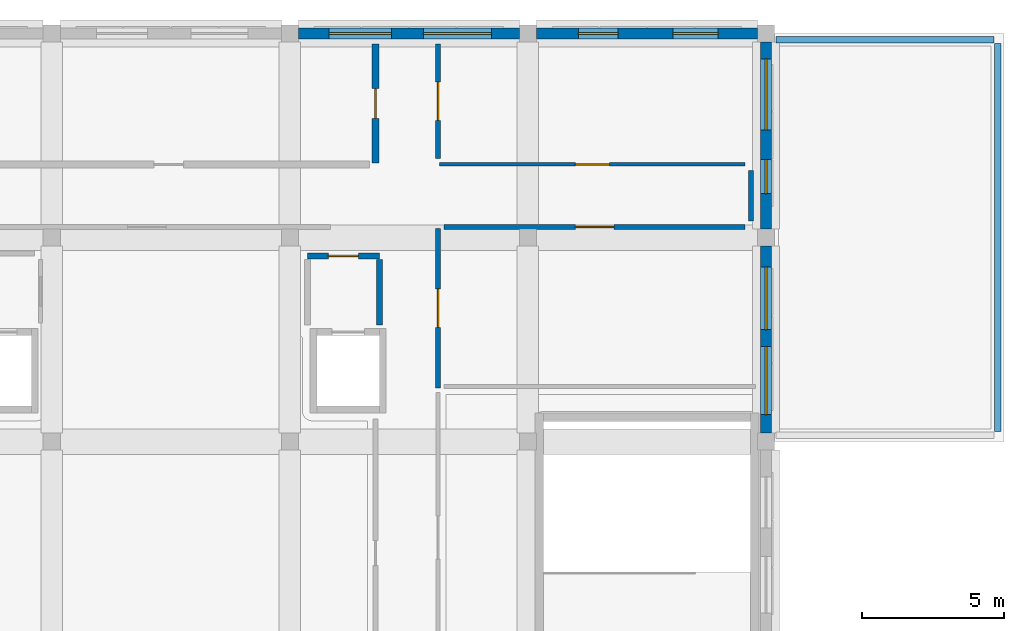
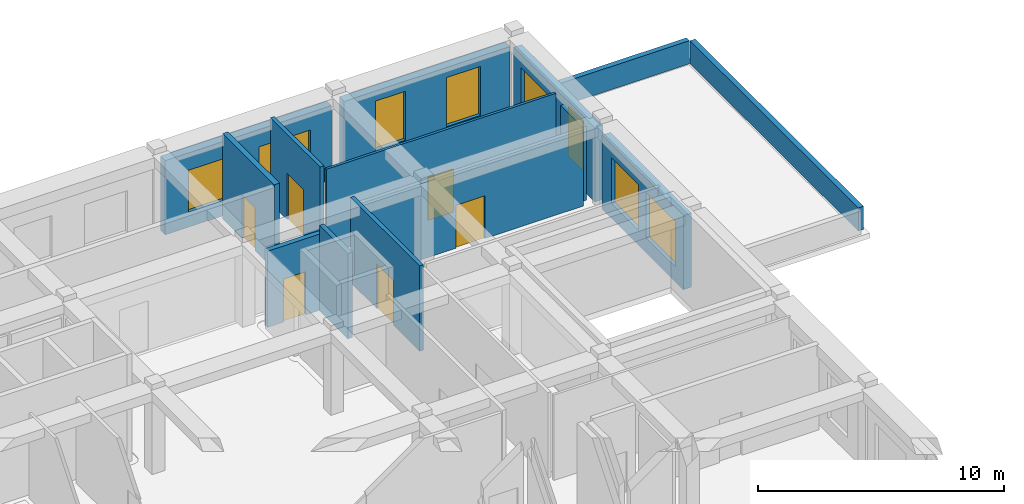
# One storey, part 16 of 28: 14 walls, 8 windows, 6 doors, 14 openings.
"""IFC4 building model written with IfcOpenShell, lengths in metres."""

from ifc_helpers import new_model, si_unit, derived_unit, direction, frame, frame_2d, origin, place, context, subcontext, project, spatial, rectangle, extrude, material, layer, layer_set, type_object, element, fill, save


model = new_model("IFC4")

# Units and contexts
model_context = context("Model", 3, precision=1e-05, world=origin(), true_north=direction((0.0, 1.0)))
body_context = subcontext(model_context, "Body", "Model", "MODEL_VIEW")
ifc_project = project(units=[si_unit("LENGTHUNIT", "METRE"), si_unit("AREAUNIT", "SQUARE_METRE"), si_unit("VOLUMEUNIT", "CUBIC_METRE"), si_unit("PLANEANGLEUNIT", "RADIAN"), si_unit("MASSUNIT", "GRAM", prefix="KILO"), derived_unit("THERMALTRANSMITTANCEUNIT", [(si_unit("POWERUNIT", "WATT"), 1), (si_unit("LENGTHUNIT", "METRE"), -2), (si_unit("THERMODYNAMICTEMPERATUREUNIT", "KELVIN"), -1)])], contexts=[model_context])

# Site, building, storey
site_placement = place(None, origin())
site = spatial("IfcSite", under=ifc_project, at=site_placement, CompositionType="ELEMENT")
building_placement = place(site_placement, origin())
building = spatial("IfcBuilding", under=site, at=building_placement, Name="Veybourne Emporium", CompositionType="ELEMENT")
storey_placement = place(building_placement, frame((0.0, 0.0, 32.10009765625)))
storey = spatial("IfcBuildingStorey", under=building, at=storey_placement, Name="L07", CompositionType="ELEMENT", Elevation=32.10009765625)

# Wall, openings, windows
ifc_material_1 = material(Name="Portland Limestone Ashlar", Category="masonry")
ifc_layer_1 = layer(ifc_material_1, 0.3798828125)
ifc_layer_set_1 = layer_set([ifc_layer_1], Name="Portland Limestone Ashlar")
wall_type_1 = type_object("IfcWallType", Name="ExtWall_EW-03", PredefinedType="SOLIDWALL", material=ifc_layer_set_1)
wall_1_placement = place(storey_placement, frame((33.89990234375, 50.39990234375, 0.0), z_axis=(0.0, 0.0, 1.0), x_axis=(1.0, 0.0, 0.0)))
wall_1 = element("IfcWall", 1, at=wall_1_placement, inside=storey, type_object=wall_type_1, Name="L07 Portland stone external wall 015", PredefinedType="SOLIDWALL", context=body_context, shape_type="SweptSolid", body=[
    extrude(rectangle(XDim=7.800048828125, YDim=0.3798828125, at=frame_2d((3.89990234375, 0.0))), origin(), (0.0, 0.0, 1.0), 3.68994140625),
])
opening_1_placement = place(wall_1_placement, frame((1.083984375, 0.0, 0.75)))
opening_1 = element("IfcOpeningElement", 2, at=opening_1_placement, cuts=wall_1, Name="Opening W-14", PredefinedType="OPENING", context=body_context, shape_type="SweptSolid", body=[
    extrude(rectangle(XDim=2.199951171875, YDim=2.080078125, at=frame_2d((1.10009765625, 1.0400390625))), frame((0.0, 0.2099609375, 0.0), z_axis=(0.0, -1.0, 0.0), x_axis=(1.0, 0.0, 0.0)), (0.0, 0.0, 1.0), 0.419921875),
])
opening_2_placement = place(wall_1_placement, frame((4.416015625, 0.0, 0.75)))
opening_2 = element("IfcOpeningElement", 3, at=opening_2_placement, cuts=wall_1, Name="Opening W-15", PredefinedType="OPENING", context=body_context, shape_type="SweptSolid", body=[
    extrude(rectangle(XDim=2.39990234375, YDim=2.080078125, at=frame_2d((1.199951171875, 1.0400390625))), frame((0.0, 0.2099609375, 0.0), z_axis=(0.0, -1.0, 0.0), x_axis=(1.0, 0.0, 0.0)), (0.0, 0.0, 1.0), 0.419921875),
])
ifc_material_2 = material(Name="Low-E Triple Glazing", Category="glass")
window_type_1 = type_object("IfcWindowType", Name="Win_W-14", PartitioningType="TRIPLE_PANEL_VERTICAL", PredefinedType="WINDOW", material=ifc_material_2)
window_1_placement = place(opening_1_placement, origin())
window_1 = element("IfcWindow", 4, at=window_1_placement, inside=storey, type_object=window_type_1, Name="L07 tripartite bronze casement window W-14 (15.1)", OverallHeight=2.080078125, OverallWidth=2.199951171875, PartitioningType="TRIPLE_PANEL_VERTICAL", PredefinedType="WINDOW", context=body_context, shape_type="SweptSolid", body=[
    extrude(rectangle(XDim=2.199951171875, YDim=2.080078125, at=frame_2d((1.10009765625, 1.0400390625))), frame((0.0, 0.030029296875, 0.0), z_axis=(0.0, -1.0, 0.0), x_axis=(1.0, 0.0, 0.0)), (0.0, 0.0, 1.0), 0.06005859375),
])
fill(opening_1, window_1)
window_type_2 = type_object("IfcWindowType", Name="Win_W-15", PartitioningType="TRIPLE_PANEL_VERTICAL", PredefinedType="WINDOW", material=ifc_material_2)
window_2_placement = place(opening_2_placement, origin())
window_2 = element("IfcWindow", 5, at=window_2_placement, inside=storey, type_object=window_type_2, Name="L07 tripartite bronze casement window W-15 (15.2)", OverallHeight=2.080078125, OverallWidth=2.39990234375, PartitioningType="TRIPLE_PANEL_VERTICAL", PredefinedType="WINDOW", context=body_context, shape_type="SweptSolid", body=[
    extrude(rectangle(XDim=2.39990234375, YDim=2.080078125, at=frame_2d((1.199951171875, 1.0400390625))), frame((0.0, 0.030029296875, 0.0), z_axis=(0.0, -1.0, 0.0), x_axis=(1.0, 0.0, 0.0)), (0.0, 0.0, 1.0), 0.06005859375),
])
fill(opening_2, window_2)

wall_2_placement = place(storey_placement, frame((50.39990234375, 42.89990234375, 0.0), z_axis=(0.0, 0.0, 1.0), x_axis=(0.0, -1.0, 0.0)))
wall_2 = element("IfcWall", 6, at=wall_2_placement, inside=storey, type_object=wall_type_1, Name="L07 Portland stone external wall 020", PredefinedType="SOLIDWALL", context=body_context, shape_type="SweptSolid", body=[
    extrude(rectangle(XDim=6.599853515625, YDim=0.3798828125, at=frame_2d((3.2998046875, 0.0))), origin(), (0.0, 0.0, 1.0), 3.68994140625),
])
opening_3_placement = place(wall_2_placement, frame((0.748046875, 0.0, 0.75)))
opening_3 = element("IfcOpeningElement", 7, at=opening_3_placement, cuts=wall_2, Name="Opening W-22", PredefinedType="OPENING", context=body_context, shape_type="SweptSolid", body=[
    extrude(rectangle(XDim=2.199951171875, YDim=2.260009765625, at=frame_2d((1.10009765625, 1.1298828125))), frame((0.0, 0.2099609375, 0.0), z_axis=(0.0, -1.0, 0.0), x_axis=(1.0, 0.0, 0.0)), (0.0, 0.0, 1.0), 0.419921875),
])
opening_4_placement = place(wall_2_placement, frame((3.552001953125, 0.0, 0.75)))
opening_4 = element("IfcOpeningElement", 8, at=opening_4_placement, cuts=wall_2, Name="Opening W-23", PredefinedType="OPENING", context=body_context, shape_type="SweptSolid", body=[
    extrude(rectangle(XDim=2.39990234375, YDim=2.260009765625, at=frame_2d((1.199951171875, 1.1298828125))), frame((0.0, 0.2099609375, 0.0), z_axis=(0.0, -1.0, 0.0), x_axis=(1.0, 0.0, 0.0)), (0.0, 0.0, 1.0), 0.419921875),
])
window_type_3 = type_object("IfcWindowType", Name="Win_W-22", PartitioningType="TRIPLE_PANEL_VERTICAL", PredefinedType="WINDOW", material=ifc_material_2)
window_3_placement = place(opening_3_placement, origin())
window_3 = element("IfcWindow", 9, at=window_3_placement, inside=storey, type_object=window_type_3, Name="L07 tripartite bronze casement window W-22 (20.1)", OverallHeight=2.260009765625, OverallWidth=2.199951171875, PartitioningType="TRIPLE_PANEL_VERTICAL", PredefinedType="WINDOW", context=body_context, shape_type="SweptSolid", body=[
    extrude(rectangle(XDim=2.199951171875, YDim=2.260009765625, at=frame_2d((1.10009765625, 1.1298828125))), frame((0.0, 0.030029296875, 0.0), z_axis=(0.0, -1.0, 0.0), x_axis=(1.0, 0.0, 0.0)), (0.0, 0.0, 1.0), 0.06005859375),
])
fill(opening_3, window_3)
window_type_4 = type_object("IfcWindowType", Name="Win_W-23", PartitioningType="TRIPLE_PANEL_VERTICAL", PredefinedType="WINDOW", material=ifc_material_2)
window_4_placement = place(opening_4_placement, origin())
window_4 = element("IfcWindow", 10, at=window_4_placement, inside=storey, type_object=window_type_4, Name="L07 tripartite bronze casement window W-23 (20.2)", OverallHeight=2.260009765625, OverallWidth=2.39990234375, PartitioningType="TRIPLE_PANEL_VERTICAL", PredefinedType="WINDOW", context=body_context, shape_type="SweptSolid", body=[
    extrude(rectangle(XDim=2.39990234375, YDim=2.260009765625, at=frame_2d((1.199951171875, 1.1298828125))), frame((0.0, 0.030029296875, 0.0), z_axis=(0.0, -1.0, 0.0), x_axis=(1.0, 0.0, 0.0)), (0.0, 0.0, 1.0), 0.06005859375),
])
fill(opening_4, window_4)

wall_3_placement = place(storey_placement, frame((50.39990234375, 50.10009765625, 0.0), z_axis=(0.0, 0.0, 1.0), x_axis=(0.0, -1.0, 0.0)))
wall_3 = element("IfcWall", 11, at=wall_3_placement, inside=storey, type_object=wall_type_1, Name="L07 Portland stone external wall 021", PredefinedType="SOLIDWALL", context=body_context, shape_type="SweptSolid", body=[
    extrude(rectangle(XDim=6.60009765625, YDim=0.3798828125, at=frame_2d((3.300048828125, 0.0))), origin(), (0.0, 0.0, 1.0), 3.68994140625),
])
opening_5_placement = place(wall_3_placement, frame((0.593017578125, 0.0, 0.75)))
opening_5 = element("IfcOpeningElement", 12, at=opening_5_placement, cuts=wall_3, Name="Opening W-24", PredefinedType="OPENING", context=body_context, shape_type="SweptSolid", body=[
    extrude(rectangle(XDim=2.510009765625, YDim=2.260009765625, at=frame_2d((1.2548828125, 1.1298828125))), frame((0.0, 0.2099609375, 0.0), z_axis=(0.0, -1.0, 0.0), x_axis=(1.0, 0.0, 0.0)), (0.0, 0.0, 1.0), 0.419921875),
])
opening_6_placement = place(wall_3_placement, frame((4.152099609375, 0.0, 0.75)))
opening_6 = element("IfcOpeningElement", 13, at=opening_6_placement, cuts=wall_3, Name="Opening W-25", PredefinedType="OPENING", context=body_context, shape_type="SweptSolid", body=[
    extrude(rectangle(XDim=1.199951171875, YDim=2.43994140625, at=frame_2d((0.60009765625, 1.219970703125))), frame((0.0, 0.2099609375, 0.0), z_axis=(0.0, -1.0, 0.0), x_axis=(1.0, 0.0, 0.0)), (0.0, 0.0, 1.0), 0.419921875),
])
window_type_5 = type_object("IfcWindowType", Name="Win_W-24", PartitioningType="TRIPLE_PANEL_VERTICAL", PredefinedType="WINDOW", material=ifc_material_2)
window_5_placement = place(opening_5_placement, origin())
window_5 = element("IfcWindow", 14, at=window_5_placement, inside=storey, type_object=window_type_5, Name="L07 tripartite bronze casement window W-24 (21.1)", OverallHeight=2.260009765625, OverallWidth=2.510009765625, PartitioningType="TRIPLE_PANEL_VERTICAL", PredefinedType="WINDOW", context=body_context, shape_type="SweptSolid", body=[
    extrude(rectangle(XDim=2.510009765625, YDim=2.260009765625, at=frame_2d((1.2548828125, 1.1298828125))), frame((0.0, 0.030029296875, 0.0), z_axis=(0.0, -1.0, 0.0), x_axis=(1.0, 0.0, 0.0)), (0.0, 0.0, 1.0), 0.06005859375),
])
fill(opening_5, window_5)
window_type_6 = type_object("IfcWindowType", Name="Win_W-25", PartitioningType="SINGLE_PANEL", PredefinedType="WINDOW", material=ifc_material_2)
window_6_placement = place(opening_6_placement, origin())
window_6 = element("IfcWindow", 15, at=window_6_placement, inside=storey, type_object=window_type_6, Name="L07 tripartite bronze casement window W-25 (21.2)", OverallHeight=2.43994140625, OverallWidth=1.199951171875, PartitioningType="SINGLE_PANEL", PredefinedType="WINDOW", context=body_context, shape_type="SweptSolid", body=[
    extrude(rectangle(XDim=1.199951171875, YDim=2.43994140625, at=frame_2d((0.60009765625, 1.219970703125))), frame((0.0, 0.030029296875, 0.0), z_axis=(0.0, -1.0, 0.0), x_axis=(1.0, 0.0, 0.0)), (0.0, 0.0, 1.0), 0.06005859375),
])
fill(opening_6, window_6)

wall_4_placement = place(storey_placement, frame((42.300048828125, 50.39990234375, 0.0), z_axis=(0.0, 0.0, 1.0), x_axis=(1.0, 0.0, 0.0)))
wall_4 = element("IfcWall", 16, at=wall_4_placement, inside=storey, type_object=wall_type_1, Name="L07 Portland stone external wall 022", PredefinedType="SOLIDWALL", context=body_context, shape_type="SweptSolid", body=[
    extrude(rectangle(XDim=7.800048828125, YDim=0.3798828125, at=frame_2d((3.89990234375, 0.0))), origin(), (0.0, 0.0, 1.0), 3.68994140625),
])
opening_7_placement = place(wall_4_placement, frame((1.48388671875, 0.0, 0.75)))
opening_7 = element("IfcOpeningElement", 17, at=opening_7_placement, cuts=wall_4, Name="Opening W-26", PredefinedType="OPENING", context=body_context, shape_type="SweptSolid", body=[
    extrude(rectangle(XDim=1.39990234375, YDim=2.43994140625, at=frame_2d((0.699951171875, 1.219970703125))), frame((0.0, 0.2099609375, 0.0), z_axis=(0.0, -1.0, 0.0), x_axis=(1.0, 0.0, 0.0)), (0.0, 0.0, 1.0), 0.419921875),
])
opening_8_placement = place(wall_4_placement, frame((4.81591796875, 0.0, 0.75)))
opening_8 = element("IfcOpeningElement", 18, at=opening_8_placement, cuts=wall_4, Name="Opening W-27", PredefinedType="OPENING", context=body_context, shape_type="SweptSolid", body=[
    extrude(rectangle(XDim=1.60009765625, YDim=2.43994140625, at=frame_2d((0.800048828125, 1.219970703125))), frame((0.0, 0.2099609375, 0.0), z_axis=(0.0, -1.0, 0.0), x_axis=(1.0, 0.0, 0.0)), (0.0, 0.0, 1.0), 0.419921875),
])
window_type_7 = type_object("IfcWindowType", Name="Win_W-26", PartitioningType="DOUBLE_PANEL_VERTICAL", PredefinedType="WINDOW", material=ifc_material_2)
window_7_placement = place(opening_7_placement, origin())
window_7 = element("IfcWindow", 19, at=window_7_placement, inside=storey, type_object=window_type_7, Name="L07 tripartite bronze casement window W-26 (22.1)", OverallHeight=2.43994140625, OverallWidth=1.39990234375, PartitioningType="DOUBLE_PANEL_VERTICAL", PredefinedType="WINDOW", context=body_context, shape_type="SweptSolid", body=[
    extrude(rectangle(XDim=1.39990234375, YDim=2.43994140625, at=frame_2d((0.699951171875, 1.219970703125))), frame((0.0, 0.030029296875, 0.0), z_axis=(0.0, -1.0, 0.0), x_axis=(1.0, 0.0, 0.0)), (0.0, 0.0, 1.0), 0.06005859375),
])
fill(opening_7, window_7)
window_type_8 = type_object("IfcWindowType", Name="Win_W-27", PartitioningType="DOUBLE_PANEL_VERTICAL", PredefinedType="WINDOW", material=ifc_material_2)
window_8_placement = place(opening_8_placement, origin())
window_8 = element("IfcWindow", 20, at=window_8_placement, inside=storey, type_object=window_type_8, Name="L07 tripartite bronze casement window W-27 (22.2)", OverallHeight=2.43994140625, OverallWidth=1.60009765625, PartitioningType="DOUBLE_PANEL_VERTICAL", PredefinedType="WINDOW", context=body_context, shape_type="SweptSolid", body=[
    extrude(rectangle(XDim=1.60009765625, YDim=2.43994140625, at=frame_2d((0.800048828125, 1.219970703125))), frame((0.0, 0.030029296875, 0.0), z_axis=(0.0, -1.0, 0.0), x_axis=(1.0, 0.0, 0.0)), (0.0, 0.0, 1.0), 0.06005859375),
])
fill(opening_8, window_8)

# Walls
ifc_material_3 = material(Name="Precast concrete C40/50", Category="concrete")
ifc_layer_2 = layer(ifc_material_3, 0.239990234375)
ifc_layer_set_2 = layer_set([ifc_layer_2], Name="Precast concrete C40/50")
wall_type_2 = type_object("IfcWallType", Name="ExtWall_PW-02", PredefinedType="PARAPET", material=ifc_layer_set_2)
wall_5_placement = place(storey_placement, frame((50.75, 50.179931640625, 0.0), z_axis=(0.0, 0.0, 1.0), x_axis=(1.0, 0.0, 0.0)))
element("IfcWall", 21, at=wall_5_placement, inside=storey, type_object=wall_type_2, Name="L07 roof parapet wall 003", PredefinedType="PARAPET", context=body_context, shape_type="SweptSolid", body=[
    extrude(rectangle(XDim=7.699951171875, YDim=0.239990234375, at=frame_2d((3.85009765625, 0.0))), origin(), (0.0, 0.0, 1.0), 1.14990234375),
])
wall_6_placement = place(storey_placement, frame((58.580078125, 50.050048828125, 0.0), z_axis=(0.0, 0.0, 1.0), x_axis=(0.0, -1.0, 0.0)))
element("IfcWall", 22, at=wall_6_placement, inside=storey, type_object=wall_type_2, Name="L07 roof parapet wall 004", PredefinedType="PARAPET", context=body_context, shape_type="SweptSolid", body=[
    extrude(rectangle(XDim=13.699951171875, YDim=0.239990234375, at=frame_2d((6.85009765625, 0.0))), origin(), (0.0, 0.0, 1.0), 1.14990234375),
])

# Wall, opening, door
ifc_material_4 = material(Name="Concrete C32/40", Category="concrete")
ifc_layer_3 = layer(ifc_material_4, 0.25)
ifc_layer_set_3 = layer_set([ifc_layer_3], Name="Concrete C32/40")
wall_type_3 = type_object("IfcWallType", Name="IntWall_FW-01", PredefinedType="SOLIDWALL", material=ifc_layer_set_3)
wall_7_placement = place(storey_placement, frame((36.6201171875, 45.830078125, 0.0), z_axis=(0.0, 0.0, 1.0), x_axis=(0.0, 1.0, 0.0)))
wall_7 = element("IfcWall", 23, at=wall_7_placement, inside=storey, type_object=wall_type_3, Name="L07 interior partition FW-01 #023", PredefinedType="SOLIDWALL", context=body_context, shape_type="SweptSolid", body=[
    extrude(rectangle(XDim=4.199951171875, YDim=0.25, at=frame_2d((2.10009765625, 0.0))), origin(), (0.0, 0.0, 1.0), 4.239990234375),
])
opening_9_placement = place(wall_7_placement, frame((1.574951171875, 0.0, 0.0)))
opening_9 = element("IfcOpeningElement", 24, at=opening_9_placement, cuts=wall_7, Name="Opening FD-02", PredefinedType="OPENING", context=body_context, shape_type="SweptSolid", body=[
    extrude(rectangle(XDim=1.050048828125, YDim=2.14990234375, at=frame_2d((0.52490234375, 1.074951171875))), frame((0.0, 0.14501953125, 0.0), z_axis=(0.0, -1.0, 0.0), x_axis=(1.0, 0.0, 0.0)), (0.0, 0.0, 1.0), 0.2900390625),
])
ifc_material_5 = material(Name="Patinated Architectural Bronze", Category="bronze")
door_type_1 = type_object("IfcDoorType", Name="FireDoor_FD-02", OperationType="NOTDEFINED", PredefinedType="DOOR", material=ifc_material_5)
door_1_placement = place(opening_9_placement, origin())
door_1 = element("IfcDoor", 25, at=door_1_placement, inside=storey, type_object=door_type_1, Name="L07 interior door FD-02 (PART-L07-023)", OperationType="SINGLE_SWING_LEFT", OverallHeight=2.14990234375, OverallWidth=1.050048828125, PredefinedType="DOOR", context=body_context, shape_type="SweptSolid", body=[
    extrude(rectangle(XDim=1.050048828125, YDim=2.14990234375, at=frame_2d((0.52490234375, 1.074951171875))), frame((0.0, 0.02490234375, 0.0), z_axis=(0.0, -1.0, 0.0), x_axis=(1.0, 0.0, 0.0)), (0.0, 0.0, 1.0), 0.050048828125),
])
fill(opening_9, door_1)

ifc_layer_4 = layer(ifc_material_4, 0.219970703125)
ifc_layer_set_4 = layer_set([ifc_layer_4], Name="Concrete C32/40")
wall_type_4 = type_object("IfcWallType", Name="IntWall_FW-02", PredefinedType="SOLIDWALL", material=ifc_layer_set_4)
wall_8_placement = place(storey_placement, frame((34.219970703125, 42.550048828125, 0.0), z_axis=(0.0, 0.0, 1.0), x_axis=(1.0, 0.0, 0.0)))
wall_8 = element("IfcWall", 26, at=wall_8_placement, inside=storey, type_object=wall_type_4, Name="Firefighting lobby C3 fire wall N (L07)", PredefinedType="SOLIDWALL", context=body_context, shape_type="SweptSolid", body=[
    extrude(rectangle(XDim=2.5400390625, YDim=0.219970703125, at=frame_2d((1.27001953125, 0.0))), origin(), (0.0, 0.0, 1.0), 3.789794921875),
])
opening_10_placement = place(wall_8_placement, frame((0.7451171875, 0.0, 0.0)))
opening_10 = element("IfcOpeningElement", 27, at=opening_10_placement, cuts=wall_8, Name="Opening FD-02", PredefinedType="OPENING", context=body_context, shape_type="SweptSolid", body=[
    extrude(rectangle(XDim=1.050048828125, YDim=2.14990234375, at=frame_2d((0.52490234375, 1.074951171875))), frame((0.0, 0.1298828125, 0.0), z_axis=(0.0, -1.0, 0.0), x_axis=(1.0, 0.0, 0.0)), (0.0, 0.0, 1.0), 0.260009765625),
])
door_2_placement = place(opening_10_placement, origin())
door_2 = element("IfcDoor", 28, at=door_2_placement, inside=storey, type_object=door_type_1, Name="Firefighting lobby C3 FD60S door N (L07)", OperationType="SINGLE_SWING_RIGHT", OverallHeight=2.14990234375, OverallWidth=1.050048828125, PredefinedType="DOOR", context=body_context, shape_type="SweptSolid", body=[
    extrude(rectangle(XDim=1.050048828125, YDim=2.14990234375, at=frame_2d((0.52490234375, 1.074951171875))), frame((0.0, 0.02490234375, 0.0), z_axis=(0.0, -1.0, 0.0), x_axis=(1.0, 0.0, 0.0)), (0.0, 0.0, 1.0), 0.050048828125),
])
fill(opening_10, door_2)

# Wall
wall_9_placement = place(storey_placement, frame((36.760009765625, 40.110107421875, 0.0), z_axis=(0.0, 0.0, 1.0), x_axis=(0.0, 1.0, 0.0)))
element("IfcWall", 29, at=wall_9_placement, inside=storey, type_object=wall_type_4, Name="Firefighting lobby C3 fire wall E (L07)", PredefinedType="SOLIDWALL", context=body_context, shape_type="SweptSolid", body=[
    extrude(rectangle(XDim=2.31982421875, YDim=0.219970703125, at=frame_2d((1.159912109375, 0.0))), origin(), (0.0, 0.0, 1.0), 4.239990234375),
])

# Wall, opening, door
ifc_material_6 = material(Name="Gypsum Acoustic Board", Category="gypsum")
ifc_layer_5 = layer(ifc_material_6, 0.179931640625)
ifc_layer_set_5 = layer_set([ifc_layer_5], Name="Gypsum Acoustic Board")
wall_type_5 = type_object("IfcWallType", Name="IntWall_IW-01", PredefinedType="PARTITIONING", material=ifc_layer_set_5)
wall_10_placement = place(storey_placement, frame((39.0400390625, 43.570068359375, 0.0), z_axis=(0.0, 0.0, 1.0), x_axis=(1.0, 0.0, 0.0)))
wall_10 = element("IfcWall", 30, at=wall_10_placement, inside=storey, type_object=wall_type_5, Name="L07 interior partition IW-01 #013", PredefinedType="PARTITIONING", context=body_context, shape_type="SweptSolid", body=[
    extrude(rectangle(XDim=10.6298828125, YDim=0.179931640625, at=frame_2d((5.31494140625, 0.0))), origin(), (0.0, 0.0, 1.0), 3.789794921875),
])
opening_11_placement = place(wall_10_placement, frame((4.635009765625, 0.0, 0.0)))
opening_11 = element("IfcOpeningElement", 31, at=opening_11_placement, cuts=wall_10, Name="Opening D-10", PredefinedType="OPENING", context=body_context, shape_type="SweptSolid", body=[
    extrude(rectangle(XDim=1.360107421875, YDim=2.1298828125, at=frame_2d((0.68017578125, 1.06494140625))), frame((0.0, 0.10986328125, 0.0), z_axis=(0.0, -1.0, 0.0), x_axis=(1.0, 0.0, 0.0)), (0.0, 0.0, 1.0), 0.219970703125),
])
ifc_material_7 = material(Name="European Oak Veneer and Bronze", Category="wood")
door_type_2 = type_object("IfcDoorType", Name="IntDoor_D-10", OperationType="NOTDEFINED", PredefinedType="DOOR", material=ifc_material_7)
door_3_placement = place(opening_11_placement, origin())
door_3 = element("IfcDoor", 32, at=door_3_placement, inside=storey, type_object=door_type_2, Name="L07 interior door D-10 (PART-L07-013)", OperationType="SINGLE_SWING_LEFT", OverallHeight=2.1298828125, OverallWidth=1.360107421875, PredefinedType="DOOR", context=body_context, shape_type="SweptSolid", body=[
    extrude(rectangle(XDim=1.360107421875, YDim=2.1298828125, at=frame_2d((0.68017578125, 1.06494140625))), frame((0.0, 0.02490234375, 0.0), z_axis=(0.0, -1.0, 0.0), x_axis=(1.0, 0.0, 0.0)), (0.0, 0.0, 1.0), 0.050048828125),
])
fill(opening_11, door_3)

wall_11_placement = place(storey_placement, frame((38.830078125, 37.889892578125, 0.0), z_axis=(0.0, 0.0, 1.0), x_axis=(0.0, 1.0, 0.0)))
wall_11 = element("IfcWall", 33, at=wall_11_placement, inside=storey, type_object=wall_type_5, Name="L07 interior partition IW-01 #019", PredefinedType="PARTITIONING", context=body_context, shape_type="SweptSolid", body=[
    extrude(rectangle(XDim=5.630126953125, YDim=0.179931640625, at=frame_2d((2.81494140625, 0.0))), origin(), (0.0, 0.0, 1.0), 4.239990234375),
])
opening_12_placement = place(wall_11_placement, frame((2.135009765625, 0.0, 0.0)))
opening_12 = element("IfcOpeningElement", 34, at=opening_12_placement, cuts=wall_11, Name="Opening D-16", PredefinedType="OPENING", context=body_context, shape_type="SweptSolid", body=[
    extrude(rectangle(XDim=1.360107421875, YDim=2.2099609375, at=frame_2d((0.68017578125, 1.10498046875))), frame((0.0, 0.10986328125, 0.0), z_axis=(0.0, -1.0, 0.0), x_axis=(1.0, 0.0, 0.0)), (0.0, 0.0, 1.0), 0.219970703125),
])
door_type_3 = type_object("IfcDoorType", Name="IntDoor_D-16", OperationType="NOTDEFINED", PredefinedType="DOOR", material=ifc_material_7)
door_4_placement = place(opening_12_placement, origin())
door_4 = element("IfcDoor", 35, at=door_4_placement, inside=storey, type_object=door_type_3, Name="L07 interior door D-16 (PART-L07-019)", OperationType="SINGLE_SWING_RIGHT", OverallHeight=2.2099609375, OverallWidth=1.360107421875, PredefinedType="DOOR", context=body_context, shape_type="SweptSolid", body=[
    extrude(rectangle(XDim=1.360107421875, YDim=2.2099609375, at=frame_2d((0.68017578125, 1.10498046875))), frame((0.0, 0.02490234375, 0.0), z_axis=(0.0, -1.0, 0.0), x_axis=(1.0, 0.0, 0.0)), (0.0, 0.0, 1.0), 0.050048828125),
])
fill(opening_12, door_4)

wall_12_placement = place(storey_placement, frame((38.830078125, 45.989990234375, 0.0), z_axis=(0.0, 0.0, 1.0), x_axis=(0.0, 1.0, 0.0)))
wall_12 = element("IfcWall", 36, at=wall_12_placement, inside=storey, type_object=wall_type_5, Name="L07 interior partition IW-01 #025", PredefinedType="PARTITIONING", context=body_context, shape_type="SweptSolid", body=[
    extrude(rectangle(XDim=4.0400390625, YDim=0.179931640625, at=frame_2d((2.02001953125, 0.0))), origin(), (0.0, 0.0, 1.0), 4.239990234375),
])
opening_13_placement = place(wall_12_placement, frame((1.340087890625, 0.0, 0.0)))
opening_13 = element("IfcOpeningElement", 37, at=opening_13_placement, cuts=wall_12, Name="Opening D-22", PredefinedType="OPENING", context=body_context, shape_type="SweptSolid", body=[
    extrude(rectangle(XDim=1.360107421875, YDim=2.2900390625, at=frame_2d((0.68017578125, 1.14501953125))), frame((0.0, 0.10986328125, 0.0), z_axis=(0.0, -1.0, 0.0), x_axis=(1.0, 0.0, 0.0)), (0.0, 0.0, 1.0), 0.219970703125),
])
door_type_4 = type_object("IfcDoorType", Name="IntDoor_D-22", OperationType="NOTDEFINED", PredefinedType="DOOR", material=ifc_material_7)
door_5_placement = place(opening_13_placement, origin())
door_5 = element("IfcDoor", 38, at=door_5_placement, inside=storey, type_object=door_type_4, Name="L07 interior door D-22 (PART-L07-025)", OperationType="SINGLE_SWING_LEFT", OverallHeight=2.2900390625, OverallWidth=1.360107421875, PredefinedType="DOOR", context=body_context, shape_type="SweptSolid", body=[
    extrude(rectangle(XDim=1.360107421875, YDim=2.2900390625, at=frame_2d((0.68017578125, 1.14501953125))), frame((0.0, 0.02490234375, 0.0), z_axis=(0.0, -1.0, 0.0), x_axis=(1.0, 0.0, 0.0)), (0.0, 0.0, 1.0), 0.050048828125),
])
fill(opening_13, door_5)

# Wall
wall_13_placement = place(storey_placement, frame((49.8798828125, 43.780029296875, 0.0), z_axis=(0.0, 0.0, 1.0), x_axis=(0.0, 1.0, 0.0)))
element("IfcWall", 39, at=wall_13_placement, inside=storey, type_object=wall_type_5, Name="L07 interior partition IW-01 #046", PredefinedType="PARTITIONING", context=body_context, shape_type="SweptSolid", body=[
    extrude(rectangle(XDim=1.7900390625, YDim=0.179931640625, at=frame_2d((0.89501953125, 0.0))), origin(), (0.0, 0.0, 1.0), 3.68994140625),
])

# Wall, opening, door
ifc_layer_6 = layer(ifc_material_6, 0.1201171875)
ifc_layer_set_6 = layer_set([ifc_layer_6], Name="Gypsum Acoustic Board")
wall_type_6 = type_object("IfcWallType", Name="IntWall_IW-03", PredefinedType="PARTITIONING", material=ifc_layer_set_6)
wall_14_placement = place(storey_placement, frame((38.8798828125, 45.780029296875, 0.0), z_axis=(0.0, 0.0, 1.0), x_axis=(1.0, 0.0, 0.0)))
wall_14 = element("IfcWall", 40, at=wall_14_placement, inside=storey, type_object=wall_type_6, Name="L07 interior partition IW-03 #012", PredefinedType="PARTITIONING", context=body_context, shape_type="SweptSolid", body=[
    extrude(rectangle(XDim=10.7900390625, YDim=0.1201171875, at=frame_2d((5.39501953125, 0.0))), origin(), (0.0, 0.0, 1.0), 4.239990234375),
])
opening_14_placement = place(wall_14_placement, frame((4.794921875, 0.0, 0.0)))
opening_14 = element("IfcOpeningElement", 41, at=opening_14_placement, cuts=wall_14, Name="Opening D-09", PredefinedType="OPENING", context=body_context, shape_type="SweptSolid", body=[
    extrude(rectangle(XDim=1.199951171875, YDim=2.1298828125, at=frame_2d((0.60009765625, 1.06494140625))), frame((0.0, 0.080078125, 0.0), z_axis=(0.0, -1.0, 0.0), x_axis=(1.0, 0.0, 0.0)), (0.0, 0.0, 1.0), 0.16015625),
])
door_type_5 = type_object("IfcDoorType", Name="IntDoor_D-09", OperationType="NOTDEFINED", PredefinedType="DOOR", material=ifc_material_7)
door_6_placement = place(opening_14_placement, origin())
door_6 = element("IfcDoor", 42, at=door_6_placement, inside=storey, type_object=door_type_5, Name="L07 interior door D-09 (PART-L07-012)", OperationType="SINGLE_SWING_RIGHT", OverallHeight=2.1298828125, OverallWidth=1.199951171875, PredefinedType="DOOR", context=body_context, shape_type="SweptSolid", body=[
    extrude(rectangle(XDim=1.199951171875, YDim=2.1298828125, at=frame_2d((0.60009765625, 1.06494140625))), frame((0.0, 0.02490234375, 0.0), z_axis=(0.0, -1.0, 0.0), x_axis=(1.0, 0.0, 0.0)), (0.0, 0.0, 1.0), 0.050048828125),
])
fill(opening_14, door_6)

save(model, "model.ifc")
